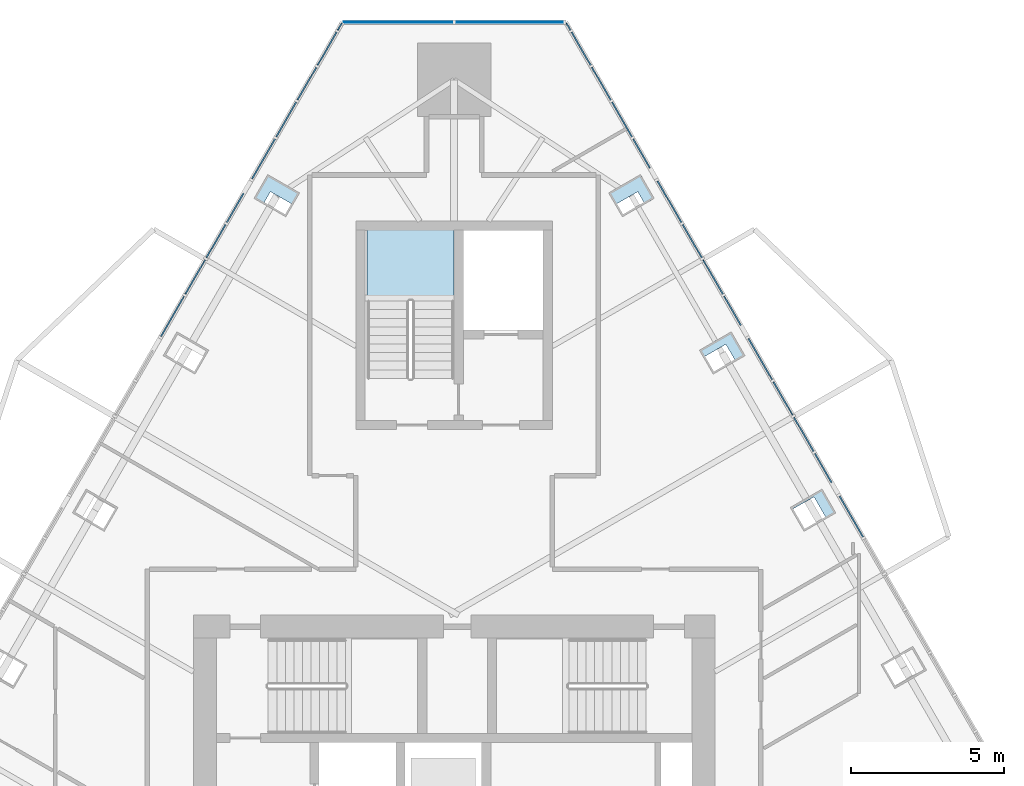
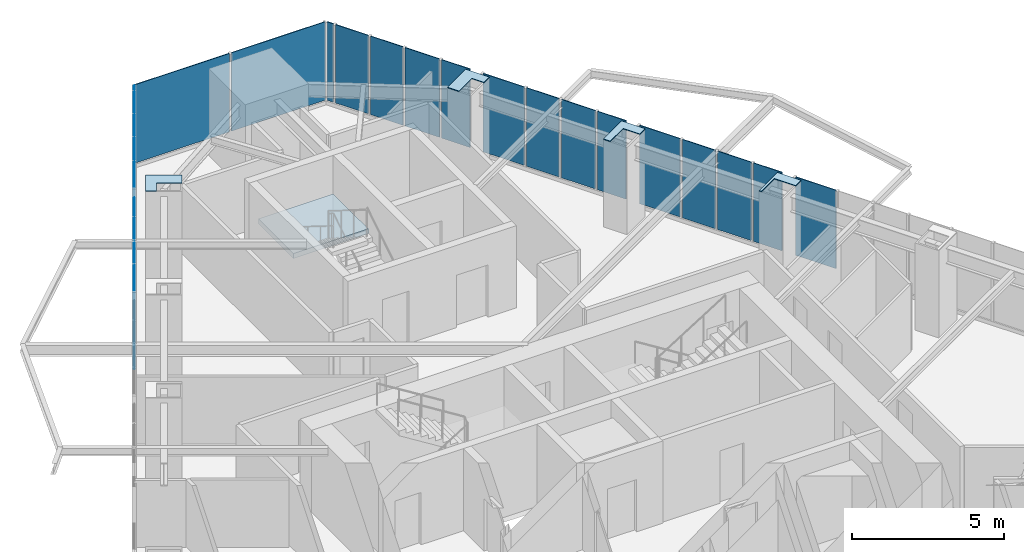
# One storey, part 13 of 19: 29 plates, 1 slab, 4 elements without a shape of their own.
"""IFC4 building model written with IfcOpenShell, lengths in metres."""

from ifc_helpers import new_model, si_unit, direction, frame, origin, place, context, subcontext, project, spatial, polyline, outline, extrude, material, layer, layer_set, type_object, element, aggregate, save


model = new_model("IFC4")

# Units and contexts
model_context = context("Model", 3, precision=1e-05, world=origin(), true_north=direction((0.0, 1.0)))
body_context = subcontext(model_context, "Body", "Model", "MODEL_VIEW")
ifc_project = project(units=[si_unit("LENGTHUNIT", "METRE"), si_unit("AREAUNIT", "SQUARE_METRE"), si_unit("VOLUMEUNIT", "CUBIC_METRE"), si_unit("PLANEANGLEUNIT", "RADIAN"), si_unit("MASSUNIT", "GRAM", prefix="KILO")], contexts=[model_context])

# Site, building, storey
site_placement = place(None, origin())
site = spatial("IfcSite", under=ifc_project, at=site_placement, CompositionType="ELEMENT")
building_placement = place(site_placement, origin())
building = spatial("IfcBuilding", under=site, at=building_placement, Name="Firuza Gate Tower and Library", CompositionType="ELEMENT")
storey_placement = place(building_placement, frame((0.0, 0.0, 316.10009765625)))
storey = spatial("IfcBuildingStorey", under=building, at=storey_placement, Name="L77", CompositionType="ELEMENT", Elevation=316.10009765625)

# Plates
ifc_material_1 = material(Name="Steel S355", Category="steel")
ifc_layer_1 = layer(ifc_material_1, 0.030029296875)
ifc_layer_set_1 = layer_set([ifc_layer_1], Name="Column infill plate 30 Steel S355")
plate_type_1 = type_object("IfcPlateType", Name="Column infill plate 30 Steel S355", PredefinedType="SHEET", material=ifc_layer_set_1)
placement_1 = place(storey_placement, frame((0.0, 0.0, 3.5)))
element("IfcPlate", 1, at=placement_1, inside=storey, type_object=plate_type_1, Name="Infill plate L77:E4", PredefinedType="SHEET", context=body_context, shape_type="SweptSolid", body=[
    extrude(outline(polyline([(85.9560546875, 85.262939453125), (86.0, 85.186767578125), (86.731201171875, 85.60888671875), (87.13720703125, 84.90576171875), (87.4453125, 85.08349609375), (86.9951171875, 85.863037109375), (85.9560546875, 85.262939453125)])), origin(), (0.0, 0.0, 1.0), 0.02978515625),
])
element("IfcPlate", 2, at=placement_1, inside=storey, type_object=plate_type_1, Name="Infill plate L77:E5", PredefinedType="SHEET", context=body_context, shape_type="SweptSolid", body=[
    extrude(outline(polyline([(82.995849609375, 90.389892578125), (83.1279296875, 90.1611328125), (83.859130859375, 90.583251953125), (84.17724609375, 90.032470703125), (84.485107421875, 90.21044921875), (84.03515625, 90.98974609375), (82.995849609375, 90.389892578125)])), origin(), (0.0, 0.0, 1.0), 0.02978515625),
])
element("IfcPlate", 3, at=placement_1, inside=storey, type_object=plate_type_1, Name="Infill plate L77:E6", PredefinedType="SHEET", context=body_context, shape_type="SweptSolid", body=[
    extrude(outline(polyline([(80.035888671875, 95.5166015625), (80.255859375, 95.1357421875), (80.9873046875, 95.557861328125), (81.21728515625, 95.159423828125), (81.525146484375, 95.337158203125), (81.0751953125, 96.11669921875), (80.035888671875, 95.5166015625)])), origin(), (0.0, 0.0, 1.0), 0.02978515625),
])
element("IfcPlate", 4, at=placement_1, inside=storey, type_object=plate_type_1, Name="Infill plate L77:W1", PredefinedType="SHEET", context=body_context, shape_type="SweptSolid", body=[
    extrude(outline(polyline([(68.474853515625, 95.337158203125), (68.78271484375, 95.159423828125), (69.0126953125, 95.557861328125), (69.744140625, 95.1357421875), (69.964111328125, 95.5166015625), (68.9248046875, 96.11669921875), (68.474853515625, 95.337158203125)])), origin(), (0.0, 0.0, 1.0), 0.02978515625),
])

# Curtain wall, plates
ifc_material_2 = material(Name="Aluminium 6063-T6", Category="aluminium")
ifc_layer_2 = layer(ifc_material_2, 0.14990234375)
ifc_layer_set_2 = layer_set([ifc_layer_2], Name="Corner curtain wall, chamfers")
curtain_wall_type_1 = type_object("IfcCurtainWallType", Name="Corner curtain wall, chamfers", PredefinedType="NOTDEFINED", material=ifc_layer_set_2)
placement_2 = place(storey_placement, origin())
curtain_wall_1 = element("IfcCurtainWall", 5, at=placement_2, inside=storey, type_object=curtain_wall_type_1, Name="CW4 L77 N corner", PredefinedType="NOTDEFINED")
ifc_material_3 = material(Name="Fritted glass", Category="glass")
ifc_layer_3 = layer(ifc_material_3, 0.030029296875)
ifc_layer_set_3 = layer_set([ifc_layer_3], Name="Fritted glass unit, corners")
plate_type_2 = type_object("IfcPlateType", Name="Fritted glass unit, corners", PredefinedType="CURTAIN_PANEL", material=ifc_layer_set_3)
plate_5_placement = place(storey_placement, frame((78.603271484375, 101.09375, 0.14990234375), z_axis=(0.0, 1.0, 0.0), x_axis=(-1.0, 0.0, 0.0)))
plate_5 = element("IfcPlate", 6, at=plate_5_placement, type_object=plate_type_2, Name="Glass unit", PredefinedType="CURTAIN_PANEL", context=body_context, shape_type="SweptSolid", body=[
    extrude(outline(polyline([(0.0, 0.0), (3.563232421875, 0.0), (3.563232421875, 3.14990234375), (0.0, 3.14990234375), (0.0, 0.0)])), origin(), (0.0, 0.0, -1.0), 0.030029296875),
])
plate_6_placement = place(storey_placement, frame((74.9599609375, 101.09375, 0.14990234375), z_axis=(0.0, 1.0, 0.0), x_axis=(-1.0, 0.0, 0.0)))
plate_6 = element("IfcPlate", 7, at=plate_6_placement, type_object=plate_type_2, Name="Glass unit", PredefinedType="CURTAIN_PANEL", context=body_context, shape_type="SweptSolid", body=[
    extrude(outline(polyline([(0.0, 0.0), (3.563232421875, 0.0), (3.563232421875, 3.14990234375), (0.0, 3.14990234375), (0.0, 0.0)])), origin(), (0.0, 0.0, -1.0), 0.030029296875),
])
aggregate(curtain_wall_1, [plate_5, plate_6])

ifc_material_4 = material(Name="Aluminium 6063-T6", Category="aluminium")
ifc_layer_4 = layer(ifc_material_4, 0.14990234375)
ifc_layer_set_4 = layer_set([ifc_layer_4], Name="Unitised curtain wall, residences")
curtain_wall_type_2 = type_object("IfcCurtainWallType", Name="Unitised curtain wall, residences", PredefinedType="NOTDEFINED", material=ifc_layer_set_4)
curtain_wall_2 = element("IfcCurtainWall", 8, at=placement_2, inside=storey, type_object=curtain_wall_type_2, Name="CW3 L77 E face", PredefinedType="NOTDEFINED")
ifc_material_5 = material(Name="Fritted glass", Category="glass")
ifc_layer_5 = layer(ifc_material_5, 0.030029296875)
ifc_layer_set_5 = layer_set([ifc_layer_5], Name="Fritted glass unit, residences")
plate_type_3 = type_object("IfcPlateType", Name="Fritted glass unit, residences", PredefinedType="CURTAIN_PANEL", material=ifc_layer_set_5)
plate_7_placement = place(storey_placement, frame((88.343505859375, 84.3076171875, 0.14990234375), z_axis=(0.866045416704, 0.499965335005, 0.0), x_axis=(-0.499965335005, 0.866045416704, 0.0)))
plate_7 = element("IfcPlate", 9, at=plate_7_placement, type_object=plate_type_3, Name="Glass unit", PredefinedType="CURTAIN_PANEL", context=body_context, shape_type="SweptSolid", body=[
    extrude(outline(polyline([(0.0, 0.0), (1.5372159501661506, 0.0), (1.5372159501661506, 3.149902343750001), (0.0, 3.149902343750001), (0.0, 0.0)])), origin(), (0.0, 0.0, -1.0), 0.030029296875),
])
plate_8_placement = place(storey_placement, frame((87.314453125, 86.090087890625, 0.14990234375), z_axis=(0.866016800201, 0.500014901547, 0.0), x_axis=(-0.500014901547, 0.866016800201, 0.0)))
plate_8 = element("IfcPlate", 10, at=plate_8_placement, type_object=plate_type_3, Name="Glass unit", PredefinedType="CURTAIN_PANEL", context=body_context, shape_type="SweptSolid", body=[
    extrude(outline(polyline([(0.0, 0.0), (1.0839520698751075, 0.0), (1.0839520698751075, 3.14990234375), (0.0, 3.14990234375), (0.0, 0.0)])), origin(), (0.0, 0.0, -1.0), 0.030029296875),
])
plate_9_placement = place(storey_placement, frame((85.383544921875, 89.4345703125, 0.14990234375), z_axis=(0.866004557827, 0.500036104519, 0.0), x_axis=(-0.500036104519, 0.866004557827, 0.0)))
plate_9 = element("IfcPlate", 11, at=plate_9_placement, type_object=plate_type_3, Name="Glass unit", PredefinedType="CURTAIN_PANEL", context=body_context, shape_type="SweptSolid", body=[
    extrude(outline(polyline([(0.0, 0.0), (1.5496927856736717, 0.0), (1.5496927856736717, 3.14990234375), (0.0, 3.14990234375), (0.0, 0.0)])), origin(), (0.0, 0.0, -1.0), 0.030029296875),
])
plate_10_placement = place(storey_placement, frame((84.3544921875, 91.216796875, 0.14990234375), z_axis=(0.86607309507, 0.49991738717, 0.0), x_axis=(-0.49991738717, 0.86607309507, 0.0)))
plate_10 = element("IfcPlate", 12, at=plate_10_placement, type_object=plate_type_3, Name="Glass unit", PredefinedType="CURTAIN_PANEL", context=body_context, shape_type="SweptSolid", body=[
    extrude(outline(polyline([(0.0, 0.0), (1.0841635066305715, 0.0), (1.0841635066305715, 3.14990234375), (0.0, 3.14990234375), (0.0, 0.0)])), origin(), (0.0, 0.0, -1.0), 0.030029296875),
])
plate_11_placement = place(storey_placement, frame((82.423583984375, 94.561279296875, 0.14990234375), z_axis=(0.866032025414, 0.499988530825, 0.0), x_axis=(-0.499988530825, 0.866032025414, 0.0)))
plate_11 = element("IfcPlate", 13, at=plate_11_placement, type_object=plate_type_3, Name="Glass unit", PredefinedType="CURTAIN_PANEL", context=body_context, shape_type="SweptSolid", body=[
    extrude(outline(polyline([(0.0, 0.0), (1.5620475495436166, 0.0), (1.5620475495436166, 3.14990234375), (0.0, 3.14990234375), (0.0, 0.0)])), origin(), (0.0, 0.0, -1.0), 0.030029296875),
])
plate_12_placement = place(storey_placement, frame((81.39453125, 96.34375, 0.14990234375), z_axis=(0.865975591052, 0.50008626826, 0.0), x_axis=(-0.50008626826, 0.865975591052, 0.0)))
plate_12 = element("IfcPlate", 14, at=plate_12_placement, type_object=plate_type_3, Name="Glass unit", PredefinedType="CURTAIN_PANEL", context=body_context, shape_type="SweptSolid", body=[
    extrude(outline(polyline([(0.0, 0.0), (1.0842855773904514, 0.0), (1.0842855773904514, 3.14990234375), (0.0, 3.14990234375), (0.0, 0.0)])), origin(), (0.0, 0.0, -1.0), 0.030029296875),
])
plate_13_placement = place(storey_placement, frame((79.46337890625, 99.688232421875, 0.14990234375), z_axis=(0.866035156036, 0.499983108224, 0.0), x_axis=(-0.499983108224, 0.866035156036, 0.0)))
plate_13 = element("IfcPlate", 15, at=plate_13_placement, type_object=plate_type_3, Name="Glass unit", PredefinedType="CURTAIN_PANEL", context=body_context, shape_type="SweptSolid", body=[
    extrude(outline(polyline([(0.0, 0.0), (1.2432060624165047, 0.0), (1.2432060624165047, 3.14990234375), (0.0, 3.14990234375), (0.0, 0.0)])), origin(), (0.0, 0.0, -1.0), 0.030029296875),
])

curtain_wall_3 = element("IfcCurtainWall", 16, at=placement_2, inside=storey, type_object=curtain_wall_type_2, Name="CW3 L77 W face", PredefinedType="NOTDEFINED")
plate_14_placement = place(storey_placement, frame((71.158203125, 100.764892578125, 0.14990234375), z_axis=(-0.866035156036, 0.499983108224, 0.0), x_axis=(-0.499983108224, -0.866035156036, 0.0)))
plate_14 = element("IfcPlate", 17, at=plate_14_placement, type_object=plate_type_3, Name="Glass unit", PredefinedType="CURTAIN_PANEL", context=body_context, shape_type="SweptSolid", body=[
    extrude(outline(polyline([(0.0, 0.0), (1.2432060624165047, 0.0), (1.2432060624165047, 3.14990234375), (0.0, 3.14990234375), (0.0, 0.0)])), origin(), (0.0, 0.0, -1.0), 0.030029296875),
])
plate_15_placement = place(storey_placement, frame((69.147705078125, 97.28271484375, 0.14990234375), z_axis=(-0.866001314711, 0.500041721178, 0.0), x_axis=(-0.500041721178, -0.866001314711, 0.0)))
plate_15 = element("IfcPlate", 18, at=plate_15_placement, type_object=plate_type_3, Name="Glass unit", PredefinedType="CURTAIN_PANEL", context=body_context, shape_type="SweptSolid", body=[
    extrude(outline(polyline([(0.0, 0.0), (1.5003630874200282, 0.0), (1.5003630874200282, 3.14990234375), (0.0, 3.14990234375), (0.0, 0.0)])), origin(), (0.0, 0.0, -1.0), 0.030029296875),
])
plate_16_placement = place(storey_placement, frame((68.11865234375, 95.500244140625, 0.14990234375), z_axis=(-0.865975591052, 0.50008626826, 0.0), x_axis=(-0.50008626826, -0.865975591052, 0.0)))
plate_16 = element("IfcPlate", 19, at=plate_16_placement, type_object=plate_type_3, Name="Glass unit", PredefinedType="CURTAIN_PANEL", context=body_context, shape_type="SweptSolid", body=[
    extrude(outline(polyline([(0.0, 0.0), (1.0842855773904514, 0.0), (1.0842855773904514, 3.14990234375), (0.0, 3.14990234375), (0.0, 0.0)])), origin(), (0.0, 0.0, -1.0), 0.030029296875),
])
plate_17_placement = place(storey_placement, frame((66.1875, 92.15576171875, 0.14990234375), z_axis=(-0.866059247079, 0.499941377112, 0.0), x_axis=(-0.499941377112, -0.866059247079, 0.0)))
plate_17 = element("IfcPlate", 20, at=plate_17_placement, type_object=plate_type_3, Name="Glass unit", PredefinedType="CURTAIN_PANEL", context=body_context, shape_type="SweptSolid", body=[
    extrude(outline(polyline([(0.0, 0.0), (1.5123843519276532, 0.0), (1.5123843519276532, 3.14990234375), (0.0, 3.14990234375), (0.0, 0.0)])), origin(), (0.0, 0.0, -1.0), 0.030029296875),
])

# Plate
ifc_material_6 = material(Name="Glazed ceramic tile")
ifc_layer_6 = layer(ifc_material_6, 0.030029296875)
ifc_layer_set_6 = layer_set([ifc_layer_6], Name="Opaque ceramic panel, residences")
plate_type_4 = type_object("IfcPlateType", Name="Opaque ceramic panel, residences", PredefinedType="CURTAIN_PANEL", material=ifc_layer_set_6)
plate_18_placement = place(storey_placement, frame((86.732421875, 87.09814453125, 0.14990234375), z_axis=(0.866030104553, 0.499991857942, 0.0), x_axis=(-0.499991857942, 0.866030104553, 0.0)))
plate_18 = element("IfcPlate", 21, at=plate_18_placement, type_object=plate_type_4, Name="Opaque ceramic panel", PredefinedType="CURTAIN_PANEL", context=body_context, shape_type="SweptSolid", body=[
    extrude(outline(polyline([(0.0, 0.0), (1.2812708643633335, 0.0), (1.2812708643633335, 3.14990234375), (0.0, 3.14990234375), (0.0, 0.0)])), origin(), (0.0, 0.0, -1.0), 0.030029296875),
])

plate_19_placement = place(storey_placement, frame((86.0517578125, 88.277099609375, 0.14990234375), z_axis=(0.866046450459, 0.499963544319, 0.0), x_axis=(-0.499963544319, 0.866046450459, 0.0)))
plate_19 = element("IfcPlate", 22, at=plate_19_placement, type_object=plate_type_4, Name="Opaque ceramic panel", PredefinedType="CURTAIN_PANEL", context=body_context, shape_type="SweptSolid", body=[
    extrude(outline(polyline([(0.0, 0.0), (1.2564392649479683, 0.0), (1.2564392649479683, 3.14990234375), (0.0, 3.14990234375), (0.0, 0.0)])), origin(), (0.0, 0.0, -1.0), 0.030029296875),
])

plate_20_placement = place(storey_placement, frame((83.7724609375, 92.22509765625, 0.14990234375), z_axis=(0.865981306888, 0.500076370288, 0.0), x_axis=(-0.500076370288, 0.865981306888, 0.0)))
plate_20 = element("IfcPlate", 23, at=plate_20_placement, type_object=plate_type_4, Name="Opaque ceramic panel", PredefinedType="CURTAIN_PANEL", context=body_context, shape_type="SweptSolid", body=[
    extrude(outline(polyline([(0.0, 0.0), (1.2937477047296333, 0.0), (1.2937477047296333, 3.14990234375), (0.0, 3.14990234375), (0.0, 0.0)])), origin(), (0.0, 0.0, -1.0), 0.030029296875),
])

plate_21_placement = place(storey_placement, frame((83.08544921875, 93.41455078125, 0.14990234375), z_axis=(0.866061432277, 0.499937591627, 0.0), x_axis=(-0.499937591627, 0.866061432277, 0.0)))
plate_21 = element("IfcPlate", 24, at=plate_21_placement, type_object=plate_type_4, Name="Opaque ceramic panel", PredefinedType="CURTAIN_PANEL", context=body_context, shape_type="SweptSolid", body=[
    extrude(outline(polyline([(0.0, 0.0), (1.244295933969132, 0.0), (1.244295933969132, 3.14990234375), (0.0, 3.14990234375), (0.0, 0.0)])), origin(), (0.0, 0.0, -1.0), 0.030029296875),
])

plate_22_placement = place(storey_placement, frame((80.8125, 97.351806640625, 0.14990234375), z_axis=(0.86601437931, 0.500019094464, 0.0), x_axis=(-0.500019094464, 0.86601437931, 0.0)))
plate_22 = element("IfcPlate", 25, at=plate_22_placement, type_object=plate_type_4, Name="Opaque ceramic panel", PredefinedType="CURTAIN_PANEL", context=body_context, shape_type="SweptSolid", body=[
    extrude(outline(polyline([(0.0, 0.0), (1.3061024650961115, 0.0), (1.3061024650961115, 3.14990234375), (0.0, 3.14990234375), (0.0, 0.0)])), origin(), (0.0, 0.0, -1.0), 0.030029296875),
])

plate_23_placement = place(storey_placement, frame((80.119384765625, 98.55224609375, 0.14990234375), z_axis=(0.865977622033, 0.500082751291, 0.0), x_axis=(-0.500082751291, 0.865977622033, 0.0)))
plate_23 = element("IfcPlate", 26, at=plate_23_placement, type_object=plate_type_4, Name="Opaque ceramic panel", PredefinedType="CURTAIN_PANEL", context=body_context, shape_type="SweptSolid", body=[
    extrude(outline(polyline([(0.0, 0.0), (1.231729739298728, 0.0), (1.231729739298728, 3.14990234375), (0.0, 3.14990234375), (0.0, 0.0)])), origin(), (0.0, 0.0, -1.0), 0.030029296875),
])

plate_24_placement = place(storey_placement, frame((78.802001953125, 100.834228515625, 0.14990234375), z_axis=(0.865780878536, 0.500423291185, 0.0), x_axis=(-0.500423291185, 0.865780878536, 0.0)))
plate_24 = element("IfcPlate", 27, at=plate_24_placement, type_object=plate_type_4, Name="Opaque ceramic panel", PredefinedType="CURTAIN_PANEL", context=body_context, shape_type="SweptSolid", body=[
    extrude(outline(polyline([(0.0, 0.0), (0.2512521381192305, 0.0), (0.2512521381192305, 3.14990234375), (0.0, 3.14990234375), (0.0, 0.0)])), origin(), (0.0, 0.0, -1.0), 0.030029296875),
])

aggregate(curtain_wall_2, [plate_7, plate_8, plate_18, plate_19, plate_9, plate_10, plate_20, plate_21, plate_11, plate_12, plate_22, plate_23, plate_13, plate_24])

plate_25_placement = place(storey_placement, frame((71.32373046875, 101.0517578125, 0.14990234375), z_axis=(-0.865780878536, 0.500423291185, 0.0), x_axis=(-0.500423291185, -0.865780878536, 0.0)))
plate_25 = element("IfcPlate", 28, at=plate_25_placement, type_object=plate_type_4, Name="Opaque ceramic panel", PredefinedType="CURTAIN_PANEL", context=body_context, shape_type="SweptSolid", body=[
    extrude(outline(polyline([(0.0, 0.0), (0.2512521381192305, 0.0), (0.2512521381192305, 3.14990234375), (0.0, 3.14990234375), (0.0, 0.0)])), origin(), (0.0, 0.0, -1.0), 0.030029296875),
])

plate_26_placement = place(storey_placement, frame((70.49658203125, 99.618896484375, 0.14990234375), z_axis=(-0.865977622033, 0.500082751291, 0.0), x_axis=(-0.500082751291, -0.865977622033, 0.0)))
plate_26 = element("IfcPlate", 29, at=plate_26_placement, type_object=plate_type_4, Name="Opaque ceramic panel", PredefinedType="CURTAIN_PANEL", context=body_context, shape_type="SweptSolid", body=[
    extrude(outline(polyline([(0.0, 0.0), (1.231729739298728, 0.0), (1.231729739298728, 3.14990234375), (0.0, 3.14990234375), (0.0, 0.0)])), origin(), (0.0, 0.0, -1.0), 0.030029296875),
])

plate_27_placement = place(storey_placement, frame((69.840576171875, 98.48291015625, 0.14990234375), z_axis=(-0.86601437931, 0.500019094464, 0.0), x_axis=(-0.500019094464, -0.86601437931, 0.0)))
plate_27 = element("IfcPlate", 30, at=plate_27_placement, type_object=plate_type_4, Name="Opaque ceramic panel", PredefinedType="CURTAIN_PANEL", context=body_context, shape_type="SweptSolid", body=[
    extrude(outline(polyline([(0.0, 0.0), (1.3061024650961115, 0.0), (1.3061024650961115, 3.14990234375), (0.0, 3.14990234375), (0.0, 0.0)])), origin(), (0.0, 0.0, -1.0), 0.030029296875),
])

plate_28_placement = place(storey_placement, frame((67.53662109375, 94.4921875, 0.14990234375), z_axis=(-0.866061432277, 0.499937591627, 0.0), x_axis=(-0.499937591627, -0.866061432277, 0.0)))
plate_28 = element("IfcPlate", 31, at=plate_28_placement, type_object=plate_type_4, Name="Opaque ceramic panel", PredefinedType="CURTAIN_PANEL", context=body_context, shape_type="SweptSolid", body=[
    extrude(outline(polyline([(0.0, 0.0), (1.244295933969132, 0.0), (1.244295933969132, 3.14990234375), (0.0, 3.14990234375), (0.0, 0.0)])), origin(), (0.0, 0.0, -1.0), 0.030029296875),
])

plate_29_placement = place(storey_placement, frame((66.87451171875, 93.345458984375, 0.14990234375), z_axis=(-0.865981306888, 0.500076370288, 0.0), x_axis=(-0.500076370288, -0.865981306888, 0.0)))
plate_29 = element("IfcPlate", 32, at=plate_29_placement, type_object=plate_type_4, Name="Opaque ceramic panel", PredefinedType="CURTAIN_PANEL", context=body_context, shape_type="SweptSolid", body=[
    extrude(outline(polyline([(0.0, 0.0), (1.2937477047296333, 0.0), (1.2937477047296333, 3.14990234375), (0.0, 3.14990234375), (0.0, 0.0)])), origin(), (0.0, 0.0, -1.0), 0.030029296875),
])

aggregate(curtain_wall_3, [plate_25, plate_14, plate_26, plate_27, plate_15, plate_16, plate_28, plate_29, plate_17])

# Stair, slab
ifc_material_7 = material(Name="Concrete C35/45", Category="concrete")
stair_type = type_object("IfcStairType", Name="Exit stair ST17", PredefinedType="HALF_TURN_STAIR", material=ifc_material_7)
stair = element("IfcStair", 33, at=placement_2, inside=storey, type_object=stair_type, Name="L77 Stair ST3", PredefinedType="HALF_TURN_STAIR")
ifc_material_8 = material(Name="Concrete C35/45", Category="concrete")
ifc_layer_7 = layer(ifc_material_8, 0.199951171875)
ifc_layer_set_7 = layer_set([ifc_layer_7], Name="Stair landing 200")
slab_type = type_object("IfcSlabType", Name="Stair landing 200", PredefinedType="LANDING", material=ifc_layer_set_7)
slab_placement = place(storey_placement, frame((0.0, 0.0, 1.5498046875)))
slab = element("IfcSlab", 34, at=slab_placement, type_object=slab_type, Name="ST3 landing 1", PredefinedType="LANDING", context=body_context, shape_type="SweptSolid", body=[
    extrude(outline(polyline([(75.0, 91.989990234375), (75.0, 94.300048828125), (72.159912109375, 94.300048828125), (72.159912109375, 91.989990234375), (75.0, 91.989990234375)])), origin(), (0.0, 0.0, 1.0), 0.2001953125),
])
aggregate(stair, [slab])

save(model, "model.ifc")
